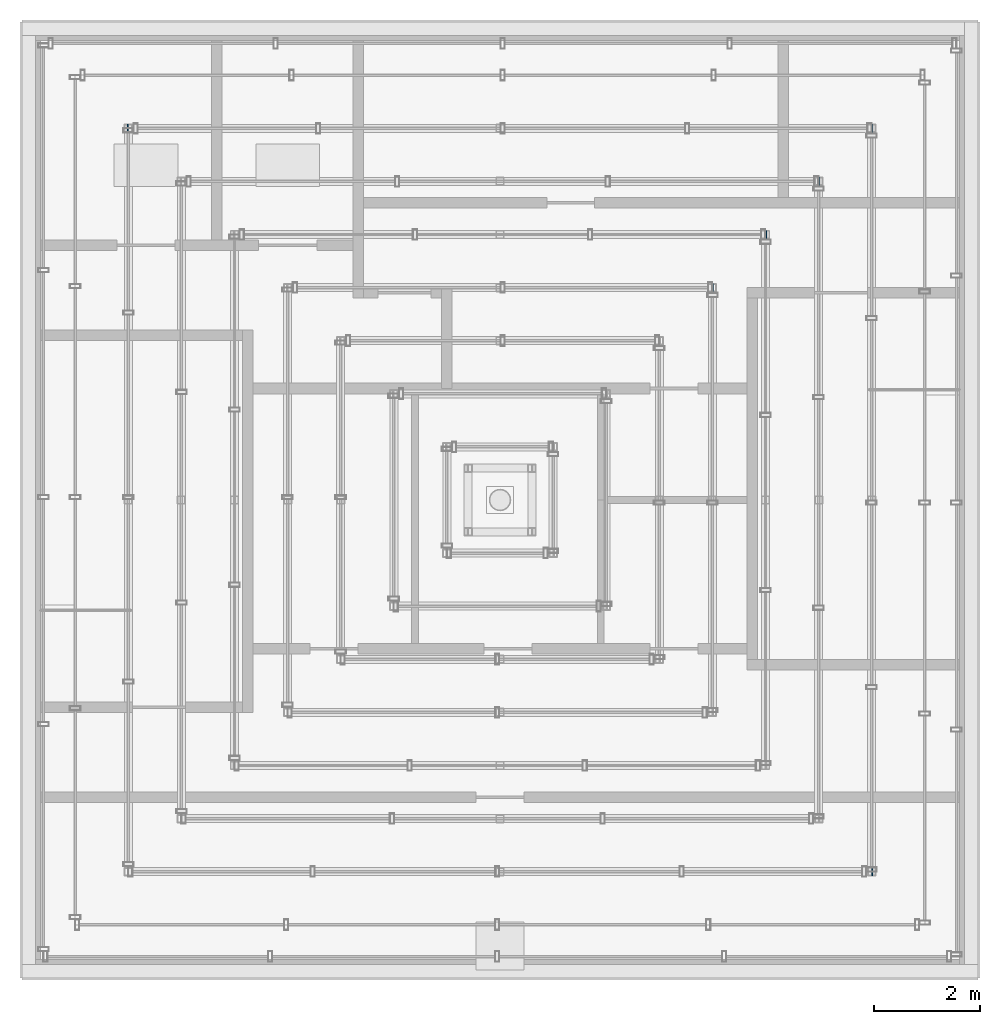
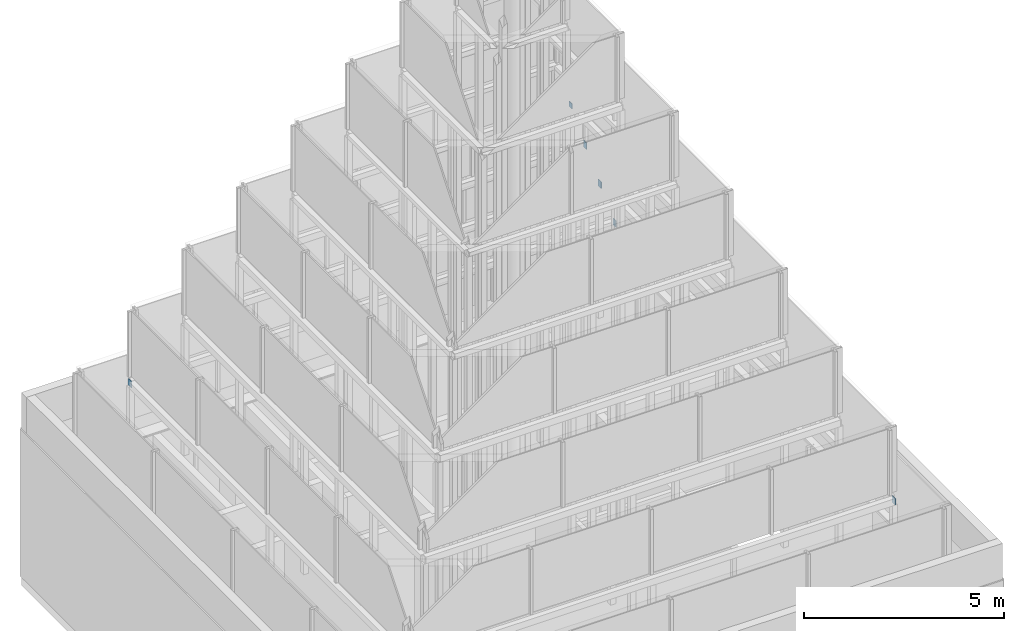
# One storey, part 23 of 24: 6 discrete accessories.
"""IFC4 building model written with IfcOpenShell, lengths in metres."""

import ifcopenshell
import ifcopenshell.guid

model = None  # the IFC model being written
_history = None  # IfcOwnerHistory: only IFC2X3 demands one
_inside = {}  # id of a spatial element -> (the spatial element, [elements in it])
_under = {}  # id of a project, library or spatial element -> (it, [spatial elements below it])
_declared = {}  # id of a project -> (the project, [libraries it declares])
_typed = {}  # id of a type object -> (the type object, [elements of that type])
_made_of = {}  # id of a material, layer set ... -> (it, [elements and type objects made of it])


def new_model(schema):
    """Start an empty IFC model of exactly this schema.

    Asked for "IFC4X3", IfcOpenShell would pick the latest addendum, in which some entities
    have other attributes; the version numbers below select the first issue.
    IFC2X3 requires an IfcOwnerHistory on every rooted entity: one is made here for all.
    """
    global model, _history
    if schema == "IFC4X3":
        model = ifcopenshell.file(schema_version=(4, 3, 0, 0))
    else:
        model = ifcopenshell.file(schema=schema)
    _inside.clear()
    _under.clear()
    _declared.clear()
    _typed.clear()
    _made_of.clear()
    _history = None
    if model.schema == "IFC2X3":
        org = make("IfcOrganization", Name="unknown")
        user = make(
            "IfcPersonAndOrganization",
            ThePerson=make("IfcPerson", FamilyName="unknown"),
            TheOrganization=org,
        )
        app = make(
            "IfcApplication",
            ApplicationDeveloper=org,
            Version="unknown",
            ApplicationFullName="unknown",
            ApplicationIdentifier="unknown",
        )
        _history = make(
            "IfcOwnerHistory",
            OwningUser=user,
            OwningApplication=app,
            ChangeAction="ADDED",
            CreationDate=0,
        )
    return model


def make(cls, **values):
    """One entity of the class cls with the attributes given. An attribute that is None is left unset."""
    return model.create_entity(
        cls, **{name: value for name, value in values.items() if value is not None}
    )


def rooted(cls, **values):
    """An entity with a GlobalId (a new one), such as an element, a storey or a relation."""
    return make(cls, GlobalId=ifcopenshell.guid.new(), OwnerHistory=_history, **values)


def si_unit(unit_type, name, prefix=None):
    """IfcSIUnit, for example si_unit("LENGTHUNIT", "METRE", prefix="MILLI")."""
    return make("IfcSIUnit", UnitType=unit_type, Prefix=prefix, Name=name)


def assignment(units):
    """IfcUnitAssignment: the units of a project."""
    return None if units is None else make("IfcUnitAssignment", Units=units)


def point(xyz):
    """IfcCartesianPoint."""
    return None if xyz is None else make("IfcCartesianPoint", Coordinates=xyz)


def direction(xyz):
    """IfcDirection."""
    return None if xyz is None else make("IfcDirection", DirectionRatios=xyz)


def frame(location, z_axis=None, x_axis=None):
    """IfcAxis2Placement3D, a coordinate frame: its origin and axes. An axis left out is left unset."""
    return make(
        "IfcAxis2Placement3D",
        Location=point(location),
        Axis=direction(z_axis),
        RefDirection=direction(x_axis),
    )


def frame_2d(location, x_axis=None):
    """IfcAxis2Placement2D, a coordinate frame in the plane: its origin and x axis."""
    return make(
        "IfcAxis2Placement2D", Location=point(location), RefDirection=direction(x_axis)
    )


def origin():
    """The frame at (0, 0, 0) with its axes left unset."""
    return frame((0.0, 0.0, 0.0))


def origin_2d():
    """The frame at (0, 0) in the plane with its x axis left unset."""
    return frame_2d((0.0, 0.0))


def place(relative_to, where):
    """IfcLocalPlacement: puts the frame where relative to a parent placement (None: the world)."""
    return make(
        "IfcLocalPlacement", PlacementRelTo=relative_to, RelativePlacement=where
    )


def context(
    kind, dimensions, precision=None, world=None, true_north=None, identifier=None
):
    """IfcGeometricRepresentationContext, for example the 3D "Model" context."""
    return make(
        "IfcGeometricRepresentationContext",
        ContextIdentifier=identifier,
        ContextType=kind,
        CoordinateSpaceDimension=dimensions,
        Precision=precision,
        WorldCoordinateSystem=world,
        TrueNorth=true_north,
    )


def subcontext(parent, identifier, kind, view, scale=None):
    """IfcGeometricRepresentationSubContext, for example "Body" below "Model"."""
    return make(
        "IfcGeometricRepresentationSubContext",
        ContextIdentifier=identifier,
        ContextType=kind,
        ParentContext=parent,
        TargetScale=scale,
        TargetView=view,
    )


def project(units=None, contexts=None):
    """IfcProject with its units and contexts."""
    return rooted(
        "IfcProject",
        Name="project",
        RepresentationContexts=contexts,
        UnitsInContext=assignment(units),
    )


def spatial(cls, under=None, at=None, **own):
    """A site, building, storey or space (cls), placed at a placement, below another one or the project."""
    s = rooted(cls, ObjectPlacement=at, **own)
    if under is not None:
        _under.setdefault(under.id(), (under, []))[1].append(s)
    return s


def profile(cls, at=None, kind="AREA", **sizes):
    """A parametric profile (cls). Its sizes go by their IFC names, for example OverallWidth=200.0."""
    return make(cls, ProfileType=kind, Position=at, **sizes)


def rectangle(**sizes):
    """IfcRectangleProfileDef."""
    return profile("IfcRectangleProfileDef", **sizes)


def extrude(swept, where, along, depth):
    """IfcExtrudedAreaSolid: the profile swept, set in the frame where, extruded along a direction by depth."""
    return make(
        "IfcExtrudedAreaSolid",
        SweptArea=swept,
        Position=where,
        ExtrudedDirection=direction(along),
        Depth=depth,
    )


def shape(context_of_items, identifier, shape_type, items):
    """IfcShapeRepresentation: the items that make up one representation, for example the "Body"."""
    return make(
        "IfcShapeRepresentation",
        ContextOfItems=context_of_items,
        RepresentationIdentifier=identifier,
        RepresentationType=shape_type,
        Items=items,
    )


def made_of(thing, what):
    """Note that an element or type object is made of a material, layer set ...; save() writes the relation."""
    if what is not None:
        _made_of.setdefault(what.id(), (what, []))[1].append(thing)
    return thing


def element(
    cls,
    number,
    at=None,
    inside=None,
    cuts=None,
    type_object=None,
    material=None,
    context=None,
    identifier="Body",
    shape_type=None,
    held_by="IfcProductDefinitionShape",
    body=None,
    shapes=None,
    **own,
):
    """One element of the class cls, such as IfcWall. Its Tag is "e" and its number.

    at: its placement. inside: the storey or other place that contains it. cuts: it is an
    opening in that element (IfcRelVoidsElement). A single representation is given by context,
    identifier, shape_type and body (its items); several are given by shapes. held_by: the class
    of the entity that holds the representations. save() writes the other relations.
    """
    e = rooted(cls, Tag="e%d" % number, ObjectPlacement=at, **own)
    if body is not None:
        shapes = [shape(context, identifier, shape_type, body)]
    if shapes is not None:
        e.Representation = make(held_by, Representations=shapes)
    if inside is not None:
        _inside.setdefault(inside.id(), (inside, []))[1].append(e)
    if cuts is not None:
        rooted(
            "IfcRelVoidsElement", RelatingBuildingElement=cuts, RelatedOpeningElement=e
        )
    if type_object is not None:
        _typed.setdefault(type_object.id(), (type_object, []))[1].append(e)
    return made_of(e, material)


def aggregate(whole, parts):
    """IfcRelAggregates: a whole, such as a stair, and the parts it consists of."""
    return rooted("IfcRelAggregates", RelatingObject=whole, RelatedObjects=parts)


def save(model, path):
    """Write the relations noted so far, then the file.

    IfcRelAggregates (storeys below a building ...), IfcRelContainedInSpatialStructure (elements
    in a storey), IfcRelDefinesByType, IfcRelAssociatesMaterial and IfcRelDeclares: one each for
    every whole, place, type object, material and project.
    """
    for whole, parts in _under.values():
        aggregate(whole, parts)
    for where, things in _inside.values():
        rooted(
            "IfcRelContainedInSpatialStructure",
            RelatedElements=things,
            RelatingStructure=where,
        )
    for kind, things in _typed.values():
        rooted("IfcRelDefinesByType", RelatedObjects=things, RelatingType=kind)
    for what, things in _made_of.values():
        rooted("IfcRelAssociatesMaterial", RelatedObjects=things, RelatingMaterial=what)
    for by, libraries in _declared.values():
        rooted("IfcRelDeclares", RelatingContext=by, RelatedDefinitions=libraries)
    model.write(path)


model = new_model("IFC4")

# Units and contexts
model_context = context("Model", 3, precision=1e-05, world=origin(), true_north=direction((0.0, 1.0)))
body_context = subcontext(model_context, "Body", "Model", "MODEL_VIEW")
ifc_project = project(units=[si_unit("LENGTHUNIT", "METRE"), si_unit("AREAUNIT", "SQUARE_METRE"), si_unit("VOLUMEUNIT", "CUBIC_METRE"), si_unit("PLANEANGLEUNIT", "RADIAN"), si_unit("MASSUNIT", "GRAM", prefix="KILO")], contexts=[model_context])

# Site, building, storey
site_placement = place(None, origin())
site = spatial("IfcSite", under=ifc_project, at=site_placement, CompositionType="ELEMENT")
building_placement = place(site_placement, origin())
building = spatial("IfcBuilding", under=site, at=building_placement, Name="Altepetl Exchange Towers", CompositionType="ELEMENT")
storey_placement = place(building_placement, frame((0.0, 0.0, 279.10009765625)))
storey = spatial("IfcBuildingStorey", under=building, at=storey_placement, Name="L70 Crown plant", CompositionType="ELEMENT", Elevation=279.10009765625)

# Discrete accessories
for number, where, name in (
    (1, (56.510009765625, 42.5, 6.2998046875), "End cap plate"),
    (2, (56.510009765625, 56.5, 6.2998046875), "End cap plate"),
):
    element("IfcDiscreteAccessory", number, at=place(storey_placement, frame(where)), inside=storey, Name=name, ObjectType="END CAP PLATE", PredefinedType="USERDEFINED", context=body_context, shape_type="SweptSolid", body=[
        extrude(rectangle(XDim=0.02001953125, YDim=0.14990234375, at=origin_2d()), origin(), (0.0, 0.0, 1.0), 0.199951171875),
    ])
discrete_accessory_1_placement = place(storey_placement, frame((42.489990234375, 56.5, 6.2998046875), z_axis=(0.0, 0.0, 1.0), x_axis=(-1.0, 0.0, 0.0)))
element("IfcDiscreteAccessory", 3, at=discrete_accessory_1_placement, inside=storey, Name="End cap plate", ObjectType="END CAP PLATE", PredefinedType="USERDEFINED", context=body_context, shape_type="SweptSolid", body=[
    extrude(rectangle(XDim=0.02001953125, YDim=0.14990234375, at=origin_2d()), origin(), (0.0, 0.0, 1.0), 0.199951171875),
])
for number, where, name in (
    (4, (55.510009765625, 55.5, 8.44970703125), "End cap plate"),
    (5, (54.510009765625, 54.5, 10.60009765625), "End cap plate"),
):
    element("IfcDiscreteAccessory", number, at=place(storey_placement, frame(where)), inside=storey, Name=name, ObjectType="END CAP PLATE", PredefinedType="USERDEFINED", context=body_context, shape_type="SweptSolid", body=[
        extrude(rectangle(XDim=0.02001953125, YDim=0.14990234375, at=origin_2d()), origin(), (0.0, 0.0, 1.0), 0.199951171875),
    ])
discrete_accessory_2_placement = place(storey_placement, frame((53.510009765625, 53.5, 12.7900390625)))
element("IfcDiscreteAccessory", 6, at=discrete_accessory_2_placement, inside=storey, Name="End cap plate", ObjectType="END CAP PLATE", PredefinedType="USERDEFINED", context=body_context, shape_type="SweptSolid", body=[
    extrude(rectangle(XDim=0.02001953125, YDim=0.14990234375, at=origin_2d()), origin(), (0.0, 0.0, 1.0), 0.159912109375),
])

save(model, "model.ifc")
